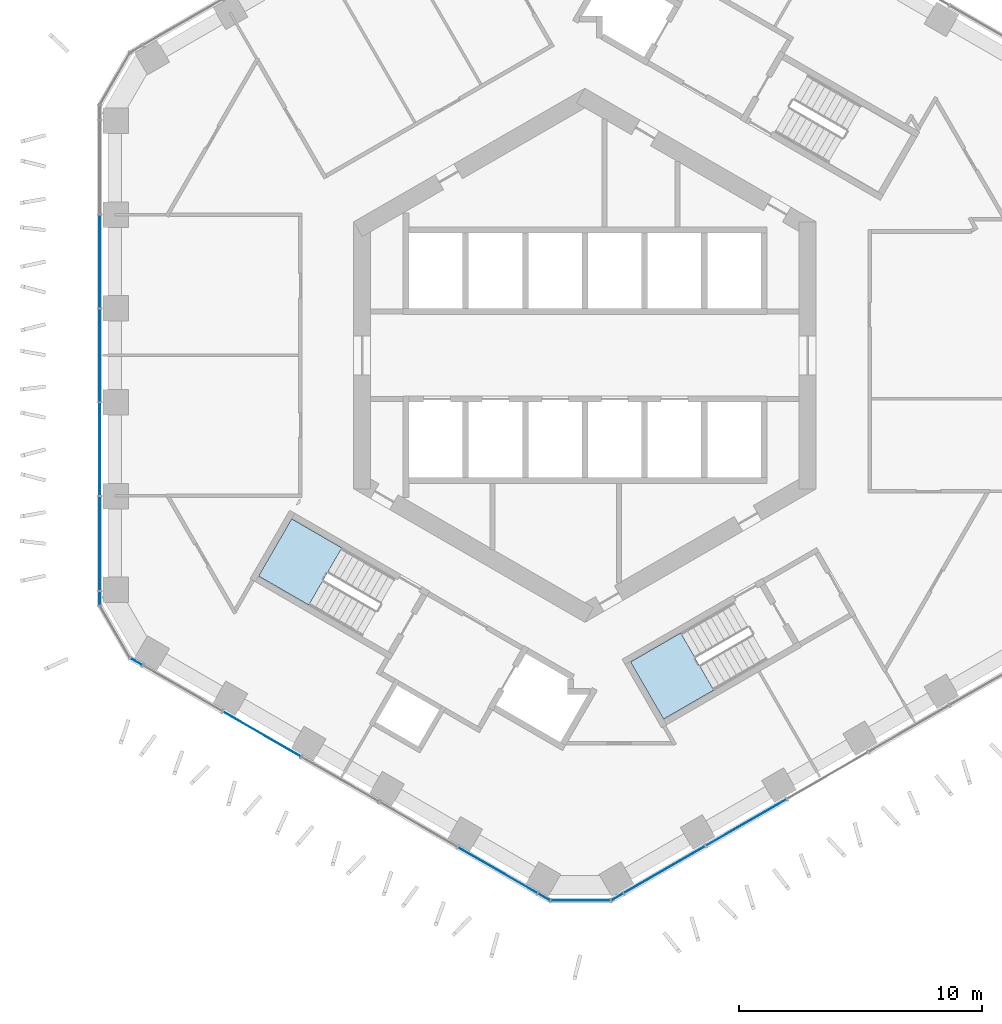
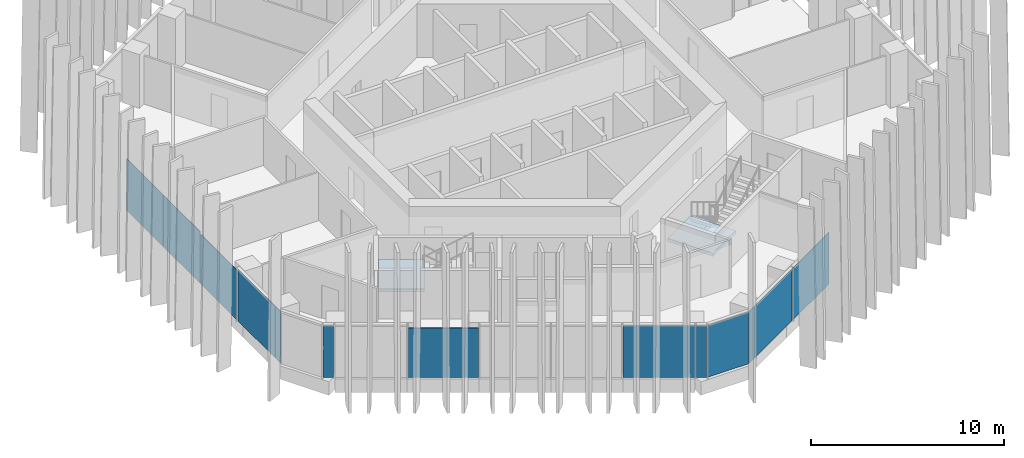
# One storey, part 8 of 19: 13 plates, 2 slabs, 7 elements without a shape of their own.
"""IFC4 building model written with IfcOpenShell, lengths in metres."""

import ifcopenshell
import ifcopenshell.guid

model = None  # the IFC model being written
_history = None  # IfcOwnerHistory: only IFC2X3 demands one
_inside = {}  # id of a spatial element -> (the spatial element, [elements in it])
_under = {}  # id of a project, library or spatial element -> (it, [spatial elements below it])
_declared = {}  # id of a project -> (the project, [libraries it declares])
_typed = {}  # id of a type object -> (the type object, [elements of that type])
_made_of = {}  # id of a material, layer set ... -> (it, [elements and type objects made of it])


def new_model(schema):
    """Start an empty IFC model of exactly this schema.

    Asked for "IFC4X3", IfcOpenShell would pick the latest addendum, in which some entities
    have other attributes; the version numbers below select the first issue.
    IFC2X3 requires an IfcOwnerHistory on every rooted entity: one is made here for all.
    """
    global model, _history
    if schema == "IFC4X3":
        model = ifcopenshell.file(schema_version=(4, 3, 0, 0))
    else:
        model = ifcopenshell.file(schema=schema)
    _inside.clear()
    _under.clear()
    _declared.clear()
    _typed.clear()
    _made_of.clear()
    _history = None
    if model.schema == "IFC2X3":
        org = make("IfcOrganization", Name="unknown")
        user = make(
            "IfcPersonAndOrganization",
            ThePerson=make("IfcPerson", FamilyName="unknown"),
            TheOrganization=org,
        )
        app = make(
            "IfcApplication",
            ApplicationDeveloper=org,
            Version="unknown",
            ApplicationFullName="unknown",
            ApplicationIdentifier="unknown",
        )
        _history = make(
            "IfcOwnerHistory",
            OwningUser=user,
            OwningApplication=app,
            ChangeAction="ADDED",
            CreationDate=0,
        )
    return model


def make(cls, **values):
    """One entity of the class cls with the attributes given. An attribute that is None is left unset."""
    return model.create_entity(
        cls, **{name: value for name, value in values.items() if value is not None}
    )


def rooted(cls, **values):
    """An entity with a GlobalId (a new one), such as an element, a storey or a relation."""
    return make(cls, GlobalId=ifcopenshell.guid.new(), OwnerHistory=_history, **values)


def si_unit(unit_type, name, prefix=None):
    """IfcSIUnit, for example si_unit("LENGTHUNIT", "METRE", prefix="MILLI")."""
    return make("IfcSIUnit", UnitType=unit_type, Prefix=prefix, Name=name)


def assignment(units):
    """IfcUnitAssignment: the units of a project."""
    return None if units is None else make("IfcUnitAssignment", Units=units)


def point(xyz):
    """IfcCartesianPoint."""
    return None if xyz is None else make("IfcCartesianPoint", Coordinates=xyz)


def direction(xyz):
    """IfcDirection."""
    return None if xyz is None else make("IfcDirection", DirectionRatios=xyz)


def frame(location, z_axis=None, x_axis=None):
    """IfcAxis2Placement3D, a coordinate frame: its origin and axes. An axis left out is left unset."""
    return make(
        "IfcAxis2Placement3D",
        Location=point(location),
        Axis=direction(z_axis),
        RefDirection=direction(x_axis),
    )


def frame_2d(location, x_axis=None):
    """IfcAxis2Placement2D, a coordinate frame in the plane: its origin and x axis."""
    return make(
        "IfcAxis2Placement2D", Location=point(location), RefDirection=direction(x_axis)
    )


def origin():
    """The frame at (0, 0, 0) with its axes left unset."""
    return frame((0.0, 0.0, 0.0))


def origin_2d():
    """The frame at (0, 0) in the plane with its x axis left unset."""
    return frame_2d((0.0, 0.0))


def place(relative_to, where):
    """IfcLocalPlacement: puts the frame where relative to a parent placement (None: the world)."""
    return make(
        "IfcLocalPlacement", PlacementRelTo=relative_to, RelativePlacement=where
    )


def context(
    kind, dimensions, precision=None, world=None, true_north=None, identifier=None
):
    """IfcGeometricRepresentationContext, for example the 3D "Model" context."""
    return make(
        "IfcGeometricRepresentationContext",
        ContextIdentifier=identifier,
        ContextType=kind,
        CoordinateSpaceDimension=dimensions,
        Precision=precision,
        WorldCoordinateSystem=world,
        TrueNorth=true_north,
    )


def subcontext(parent, identifier, kind, view, scale=None):
    """IfcGeometricRepresentationSubContext, for example "Body" below "Model"."""
    return make(
        "IfcGeometricRepresentationSubContext",
        ContextIdentifier=identifier,
        ContextType=kind,
        ParentContext=parent,
        TargetScale=scale,
        TargetView=view,
    )


def project(units=None, contexts=None):
    """IfcProject with its units and contexts."""
    return rooted(
        "IfcProject",
        Name="project",
        RepresentationContexts=contexts,
        UnitsInContext=assignment(units),
    )


def spatial(cls, under=None, at=None, **own):
    """A site, building, storey or space (cls), placed at a placement, below another one or the project."""
    s = rooted(cls, ObjectPlacement=at, **own)
    if under is not None:
        _under.setdefault(under.id(), (under, []))[1].append(s)
    return s


def polyline(points):
    """IfcPolyline through the points."""
    return make("IfcPolyline", Points=[point(p) for p in points])


def profile(cls, at=None, kind="AREA", **sizes):
    """A parametric profile (cls). Its sizes go by their IFC names, for example OverallWidth=200.0."""
    return make(cls, ProfileType=kind, Position=at, **sizes)


def rectangle(**sizes):
    """IfcRectangleProfileDef."""
    return profile("IfcRectangleProfileDef", **sizes)


def outline(outer, holes=None, kind="AREA"):
    """IfcArbitraryClosedProfileDef: a profile drawn as a closed curve; with holes, ...WithVoids."""
    if holes is None:
        return make("IfcArbitraryClosedProfileDef", ProfileType=kind, OuterCurve=outer)
    return make(
        "IfcArbitraryProfileDefWithVoids",
        ProfileType=kind,
        OuterCurve=outer,
        InnerCurves=holes,
    )


def extrude(swept, where, along, depth):
    """IfcExtrudedAreaSolid: the profile swept, set in the frame where, extruded along a direction by depth."""
    return make(
        "IfcExtrudedAreaSolid",
        SweptArea=swept,
        Position=where,
        ExtrudedDirection=direction(along),
        Depth=depth,
    )


def shape(context_of_items, identifier, shape_type, items):
    """IfcShapeRepresentation: the items that make up one representation, for example the "Body"."""
    return make(
        "IfcShapeRepresentation",
        ContextOfItems=context_of_items,
        RepresentationIdentifier=identifier,
        RepresentationType=shape_type,
        Items=items,
    )


def material(Name=None, Category=None):
    """IfcMaterial."""
    return make("IfcMaterial", Name=Name, Category=Category)


def layer(
    of_material, thickness, ventilated=None, Name=None, Category=None, Priority=None
):
    """IfcMaterialLayer: one layer of a wall or slab, of a material (None: an air gap)."""
    return make(
        "IfcMaterialLayer",
        Material=of_material,
        LayerThickness=thickness,
        IsVentilated=ventilated,
        Name=Name,
        Category=Category,
        Priority=Priority,
    )


def layer_set(layers, Name=None):
    """IfcMaterialLayerSet."""
    return make("IfcMaterialLayerSet", MaterialLayers=layers, LayerSetName=Name)


def made_of(thing, what):
    """Note that an element or type object is made of a material, layer set ...; save() writes the relation."""
    if what is not None:
        _made_of.setdefault(what.id(), (what, []))[1].append(thing)
    return thing


def type_object(cls, material=None, **own):
    """A type object (cls), such as IfcWallType, which elements share."""
    return made_of(rooted(cls, **own), material)


def element(
    cls,
    number,
    at=None,
    inside=None,
    cuts=None,
    type_object=None,
    material=None,
    context=None,
    identifier="Body",
    shape_type=None,
    held_by="IfcProductDefinitionShape",
    body=None,
    shapes=None,
    **own,
):
    """One element of the class cls, such as IfcWall. Its Tag is "e" and its number.

    at: its placement. inside: the storey or other place that contains it. cuts: it is an
    opening in that element (IfcRelVoidsElement). A single representation is given by context,
    identifier, shape_type and body (its items); several are given by shapes. held_by: the class
    of the entity that holds the representations. save() writes the other relations.
    """
    e = rooted(cls, Tag="e%d" % number, ObjectPlacement=at, **own)
    if body is not None:
        shapes = [shape(context, identifier, shape_type, body)]
    if shapes is not None:
        e.Representation = make(held_by, Representations=shapes)
    if inside is not None:
        _inside.setdefault(inside.id(), (inside, []))[1].append(e)
    if cuts is not None:
        rooted(
            "IfcRelVoidsElement", RelatingBuildingElement=cuts, RelatedOpeningElement=e
        )
    if type_object is not None:
        _typed.setdefault(type_object.id(), (type_object, []))[1].append(e)
    return made_of(e, material)


def aggregate(whole, parts):
    """IfcRelAggregates: a whole, such as a stair, and the parts it consists of."""
    return rooted("IfcRelAggregates", RelatingObject=whole, RelatedObjects=parts)


def save(model, path):
    """Write the relations noted so far, then the file.

    IfcRelAggregates (storeys below a building ...), IfcRelContainedInSpatialStructure (elements
    in a storey), IfcRelDefinesByType, IfcRelAssociatesMaterial and IfcRelDeclares: one each for
    every whole, place, type object, material and project.
    """
    for whole, parts in _under.values():
        aggregate(whole, parts)
    for where, things in _inside.values():
        rooted(
            "IfcRelContainedInSpatialStructure",
            RelatedElements=things,
            RelatingStructure=where,
        )
    for kind, things in _typed.values():
        rooted("IfcRelDefinesByType", RelatedObjects=things, RelatingType=kind)
    for what, things in _made_of.values():
        rooted("IfcRelAssociatesMaterial", RelatedObjects=things, RelatingMaterial=what)
    for by, libraries in _declared.values():
        rooted("IfcRelDeclares", RelatingContext=by, RelatedDefinitions=libraries)
    model.write(path)


model = new_model("IFC4")

# Units and contexts
model_context = context("Model", 3, precision=1e-05, world=origin(), true_north=direction((0.0, 1.0)))
body_context = subcontext(model_context, "Body", "Model", "MODEL_VIEW")
ifc_project = project(units=[si_unit("LENGTHUNIT", "METRE"), si_unit("AREAUNIT", "SQUARE_METRE"), si_unit("VOLUMEUNIT", "CUBIC_METRE"), si_unit("PLANEANGLEUNIT", "RADIAN"), si_unit("MASSUNIT", "GRAM", prefix="KILO")], contexts=[model_context])

# Site, building, storey
site_placement = place(None, origin())
site = spatial("IfcSite", under=ifc_project, at=site_placement, CompositionType="ELEMENT")
building_placement = place(site_placement, origin())
building = spatial("IfcBuilding", under=site, at=building_placement, Name="Ayvan Gate Tower", CompositionType="ELEMENT")
storey_placement = place(building_placement, frame((0.0, 0.0, 93.300048828125)))
storey = spatial("IfcBuildingStorey", under=building, at=storey_placement, Name="L24", CompositionType="ELEMENT", Elevation=93.300048828125)

# Stair, slab
ifc_material_1 = material(Name="Concrete C40/50", Category="concrete")
stair_type = type_object("IfcStairType", Name="ST-EXIT", PredefinedType="HALF_TURN_STAIR", material=ifc_material_1)
stair_1_placement = place(storey_placement, origin())
stair_1 = element("IfcStair", 1, at=stair_1_placement, inside=storey, type_object=stair_type, Name="L24 Exit Stair S2", PredefinedType="HALF_TURN_STAIR")
ifc_layer_1 = layer(ifc_material_1, 0.199951171875)
ifc_layer_set_1 = layer_set([ifc_layer_1], Name="Concrete C40/50")
slab_type = type_object("IfcSlabType", Name="SL-LANDING-200", PredefinedType="LANDING", material=ifc_layer_set_1)
slab_1_placement = place(storey_placement, frame((0.0, 0.0, 1.5)))
slab_1 = element("IfcSlab", 2, at=slab_1_placement, type_object=slab_type, Name="STS2 landing 1", PredefinedType="LANDING", context=body_context, shape_type="SweptSolid", body=[
    extrude(outline(polyline([(-9.988525390625, -7.91064453125), (-12.049560546875, -6.720458984375), (-13.404541015625, -9.0673828125), (-11.343505859375, -10.257568359375), (-9.988525390625, -7.91064453125)])), origin(), (0.0, 0.0, 1.0), 0.199951171875),
])
aggregate(stair_1, [slab_1])

stair_2_placement = place(storey_placement, origin())
stair_2 = element("IfcStair", 3, at=stair_2_placement, inside=storey, type_object=stair_type, Name="L24 Exit Stair S3", PredefinedType="HALF_TURN_STAIR")
slab_2_placement = place(storey_placement, frame((0.0, 0.0, 1.5)))
slab_2 = element("IfcSlab", 4, at=slab_2_placement, type_object=slab_type, Name="STS3 landing 1", PredefinedType="LANDING", context=body_context, shape_type="SweptSolid", body=[
    extrude(outline(polyline([(3.93505859375, -11.405517578125), (1.873779296875, -12.595458984375), (3.228759765625, -14.9423828125), (5.2900390625, -13.75244140625), (3.93505859375, -11.405517578125)])), origin(), (0.0, 0.0, 1.0), 0.199951171875),
])
aggregate(stair_2, [slab_2])

# Curtain wall, plates
ifc_material_2 = material(Name="Bronze anodised aluminium", Category="aluminium")
ifc_layer_2 = layer(ifc_material_2, 0.199951171875)
ifc_layer_set_2 = layer_set([ifc_layer_2], Name="Bronze anodised aluminium")
curtain_wall_type_1 = type_object("IfcCurtainWallType", Name="Stick curtain wall CW-1", PredefinedType="NOTDEFINED", material=ifc_layer_set_2)
curtain_wall_1_placement = place(storey_placement, origin())
curtain_wall_1 = element("IfcCurtainWall", 5, at=curtain_wall_1_placement, inside=storey, type_object=curtain_wall_type_1, Name="Stick curtain wall CW-1 L24", PredefinedType="NOTDEFINED")
ifc_material_3 = material(Name="Clear low-iron laminated glass", Category="glass")
ifc_layer_3 = layer(ifc_material_3, 0.028076171875)
ifc_layer_set_3 = layer_set([ifc_layer_3], Name="Clear low-iron laminated glass")
plate_type_1 = type_object("IfcPlateType", Name="Stick curtain wall CW-1 glass panel", PredefinedType="CURTAIN_PANEL", material=ifc_layer_set_3)
plate_1_placement = place(storey_placement, frame((-19.9326171875, 3.85546875, 0.0), z_axis=(0.0, 0.0, 1.0), x_axis=(0.0, -1.0, 0.0)))
plate_1 = element("IfcPlate", 6, at=plate_1_placement, type_object=plate_type_1, Name="CW-1 glass panel 2", PredefinedType="CURTAIN_PANEL", context=body_context, shape_type="SweptSolid", body=[
    extrude(rectangle(XDim=3.794921875, YDim=0.028076171875, at=origin_2d()), origin(), (0.0, 0.0, 1.0), 3.280029296875),
])
plate_2_placement = place(storey_placement, frame((-19.9326171875, 0.0, 0.0), z_axis=(0.0, 0.0, 1.0), x_axis=(0.0, -1.0, 0.0)))
plate_2 = element("IfcPlate", 7, at=plate_2_placement, type_object=plate_type_1, Name="CW-1 glass panel 3", PredefinedType="CURTAIN_PANEL", context=body_context, shape_type="SweptSolid", body=[
    extrude(rectangle(XDim=3.7958984375, YDim=0.028076171875, at=origin_2d()), origin(), (0.0, 0.0, 1.0), 3.280029296875),
])
plate_3_placement = place(storey_placement, frame((-19.9326171875, -3.85546875, 0.0), z_axis=(0.0, 0.0, 1.0), x_axis=(0.0, -1.0, 0.0)))
plate_3 = element("IfcPlate", 8, at=plate_3_placement, type_object=plate_type_1, Name="CW-1 glass panel 4", PredefinedType="CURTAIN_PANEL", context=body_context, shape_type="SweptSolid", body=[
    extrude(rectangle(XDim=3.794921875, YDim=0.028076171875, at=origin_2d()), origin(), (0.0, 0.0, 1.0), 3.14990234375),
])
plate_4_placement = place(storey_placement, frame((-19.9326171875, -7.742919921875, 0.0), z_axis=(0.0, 0.0, 1.0), x_axis=(0.0, -1.0, 0.0)))
plate_4 = element("IfcPlate", 9, at=plate_4_placement, type_object=plate_type_1, Name="CW-1 glass panel 5", PredefinedType="CURTAIN_PANEL", context=body_context, shape_type="SweptSolid", body=[
    extrude(rectangle(XDim=3.860107421875, YDim=0.028076171875, at=origin_2d()), origin(), (0.0, 0.0, 1.0), 3.280029296875),
])
aggregate(curtain_wall_1, [plate_1, plate_2, plate_3, plate_4])

curtain_wall_2_placement = place(storey_placement, origin())
curtain_wall_2 = element("IfcCurtainWall", 10, at=curtain_wall_2_placement, inside=storey, type_object=curtain_wall_type_1, Name="Stick curtain wall CW-1 L24", PredefinedType="NOTDEFINED")
plate_5_placement = place(storey_placement, frame((-13.269287109375, -15.560791015625, 0.0), z_axis=(0.0, 0.0, 1.0), x_axis=(0.866025403784, -0.5, 0.0)))
plate_5 = element("IfcPlate", 11, at=plate_5_placement, type_object=plate_type_1, Name="CW-1 glass panel 2", PredefinedType="CURTAIN_PANEL", context=body_context, shape_type="SweptSolid", body=[
    extrude(rectangle(XDim=3.65087890625, YDim=0.028076171875, at=origin_2d()), origin(), (0.0, 0.0, 1.0), 3.14990234375),
])
plate_6_placement = place(storey_placement, frame((-3.57666015625, -21.15673828125, 0.0), z_axis=(0.0, 0.0, 1.0), x_axis=(0.866025403784, -0.5, 0.0)))
plate_6 = element("IfcPlate", 12, at=plate_6_placement, type_object=plate_type_1, Name="CW-1 glass panel 5", PredefinedType="CURTAIN_PANEL", context=body_context, shape_type="SweptSolid", body=[
    extrude(rectangle(XDim=3.767333984375, YDim=0.028076171875, at=origin_2d()), origin(), (0.0, 0.0, 1.0), 3.280029296875),
])
aggregate(curtain_wall_2, [plate_5, plate_6])

curtain_wall_3_placement = place(storey_placement, origin())
curtain_wall_3 = element("IfcCurtainWall", 13, at=curtain_wall_3_placement, inside=storey, type_object=curtain_wall_type_1, Name="Stick curtain wall CW-1 L24", PredefinedType="NOTDEFINED")
plate_7_placement = place(storey_placement, frame((3.260498046875, -21.133544921875, 0.0), z_axis=(0.0, 0.0, 1.0), x_axis=(0.866025403784, 0.5, 0.0)))
plate_7 = element("IfcPlate", 14, at=plate_7_placement, type_object=plate_type_1, Name="CW-1 glass panel 1", PredefinedType="CURTAIN_PANEL", context=body_context, shape_type="SweptSolid", body=[
    extrude(rectangle(XDim=3.860107421875, YDim=0.028076171875, at=origin_2d()), origin(), (0.0, 0.0, 1.0), 3.280029296875),
])
plate_8_placement = place(storey_placement, frame((6.627197265625, -19.18994140625, 0.0), z_axis=(0.0, 0.0, 1.0), x_axis=(0.866025403784, 0.5, 0.0)))
plate_8 = element("IfcPlate", 15, at=plate_8_placement, type_object=plate_type_1, Name="CW-1 glass panel 2", PredefinedType="CURTAIN_PANEL", context=body_context, shape_type="SweptSolid", body=[
    extrude(rectangle(XDim=3.794921875, YDim=0.028076171875, at=origin_2d()), origin(), (0.0, 0.0, 1.0), 3.280029296875),
])
aggregate(curtain_wall_3, [plate_7, plate_8])

ifc_layer_4 = layer(ifc_material_2, 0.199951171875)
ifc_layer_set_4 = layer_set([ifc_layer_4], Name="Bronze anodised aluminium")
curtain_wall_type_2 = type_object("IfcCurtainWallType", Name="Stick curtain wall CW-6", PredefinedType="NOTDEFINED", material=ifc_layer_set_4)
curtain_wall_4_placement = place(storey_placement, origin())
curtain_wall_4 = element("IfcCurtainWall", 16, at=curtain_wall_4_placement, inside=storey, type_object=curtain_wall_type_2, Name="Stick curtain wall CW-6 L24", PredefinedType="NOTDEFINED")
ifc_layer_5 = layer(ifc_material_3, 0.028076171875)
ifc_layer_set_5 = layer_set([ifc_layer_5], Name="Clear low-iron laminated glass")
plate_type_2 = type_object("IfcPlateType", Name="Stick curtain wall CW-6 glass panel", PredefinedType="CURTAIN_PANEL", material=ifc_layer_set_5)
plate_9_placement = place(storey_placement, frame((-19.9326171875, -9.97802734375, 0.0), z_axis=(0.0, 0.0, 1.0), x_axis=(0.0, -1.0, 0.0)))
plate_9 = element("IfcPlate", 17, at=plate_9_placement, type_object=plate_type_2, Name="CW-6 glass panel 1", PredefinedType="CURTAIN_PANEL", context=body_context, shape_type="SweptSolid", body=[
    extrude(rectangle(XDim=0.550048828125, YDim=0.028076171875, at=origin_2d()), origin(), (0.0, 0.0, 1.0), 3.280029296875),
])
plate_10_placement = place(storey_placement, frame((-18.429443359375, -12.58154296875, 0.0), z_axis=(0.0, 0.0, 1.0), x_axis=(0.866025403784, -0.5, 0.0)))
plate_10 = element("IfcPlate", 18, at=plate_10_placement, type_object=plate_type_2, Name="CW-6 glass panel 3", PredefinedType="CURTAIN_PANEL", context=body_context, shape_type="SweptSolid", body=[
    extrude(rectangle(XDim=0.550048828125, YDim=0.028076171875, at=origin_2d()), origin(), (0.0, 0.0, 1.0), 3.280029296875),
])
aggregate(curtain_wall_4, [plate_9, plate_10])

curtain_wall_5_placement = place(storey_placement, origin())
curtain_wall_5 = element("IfcCurtainWall", 19, at=curtain_wall_5_placement, inside=storey, type_object=curtain_wall_type_2, Name="Stick curtain wall CW-6 L24", PredefinedType="NOTDEFINED")
plate_11_placement = place(storey_placement, frame((-1.68115234375, -22.2509765625, 0.0), z_axis=(0.0, 0.0, 1.0), x_axis=(0.866025403784, -0.5, 0.0)))
plate_11 = element("IfcPlate", 20, at=plate_11_placement, type_object=plate_type_2, Name="CW-6 glass panel 1", PredefinedType="CURTAIN_PANEL", context=body_context, shape_type="SweptSolid", body=[
    extrude(rectangle(XDim=0.550048828125, YDim=0.028076171875, at=origin_2d()), origin(), (0.0, 0.0, 1.0), 3.280029296875),
])
plate_12_placement = place(storey_placement, frame((-0.177978515625, -22.401123046875, 0.0), z_axis=(0.0, 0.0, 1.0), x_axis=(1.0, 0.0, 0.0)))
plate_12 = element("IfcPlate", 21, at=plate_12_placement, type_object=plate_type_2, Name="CW-6 glass panel 2", PredefinedType="CURTAIN_PANEL", context=body_context, shape_type="SweptSolid", body=[
    extrude(rectangle(XDim=2.4365234375, YDim=0.028076171875, at=origin_2d()), origin(), (0.0, 0.0, 1.0), 3.280029296875),
])
plate_13_placement = place(storey_placement, frame((1.324951171875, -22.2509765625, 0.0), z_axis=(0.0, 0.0, 1.0), x_axis=(0.866025403784, 0.5, 0.0)))
plate_13 = element("IfcPlate", 22, at=plate_13_placement, type_object=plate_type_2, Name="CW-6 glass panel 3", PredefinedType="CURTAIN_PANEL", context=body_context, shape_type="SweptSolid", body=[
    extrude(rectangle(XDim=0.550048828125, YDim=0.028076171875, at=origin_2d()), origin(), (0.0, 0.0, 1.0), 3.280029296875),
])
aggregate(curtain_wall_5, [plate_11, plate_12, plate_13])

save(model, "model.ifc")
